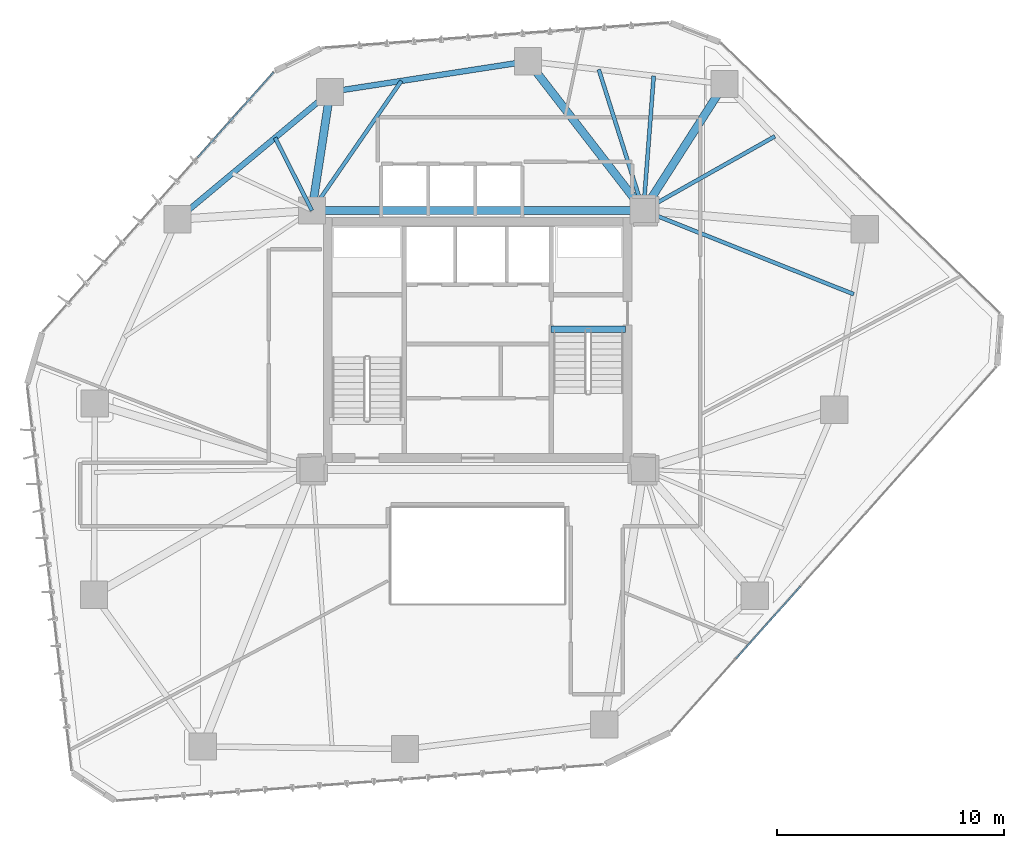
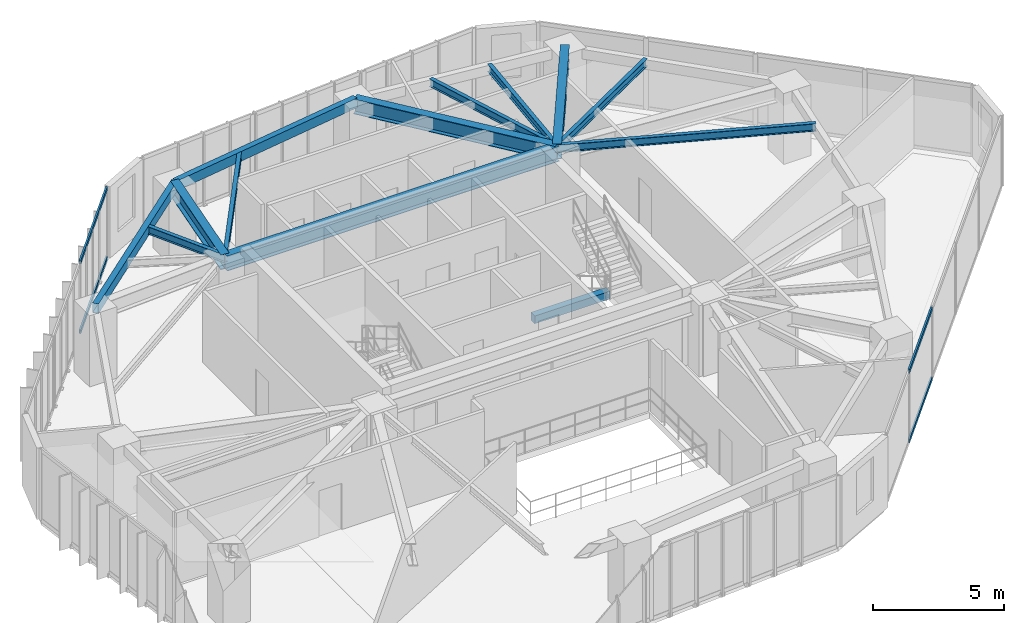
# One storey, part 11 of 23: 13 beams, 4 members, 2 elements without a shape of their own.
"""IFC4 building model written with IfcOpenShell, lengths in metres."""

from ifc_helpers import new_model, si_unit, direction, frame, origin, origin_2d, place, context, subcontext, project, spatial, rectangle, hollow_rectangle, i_section, extrude, source, transform, mapped, material, layer, layer_set, material_profile, profile_set, type_object, type_shapes, element, aggregate, save


model = new_model("IFC4")

# Units and contexts
model_context = context("Model", 3, precision=1e-05, world=origin(), true_north=direction((0.0, 1.0)))
body_context = subcontext(model_context, "Body", "Model", "MODEL_VIEW")
ifc_project = project(units=[si_unit("LENGTHUNIT", "METRE"), si_unit("AREAUNIT", "SQUARE_METRE"), si_unit("VOLUMEUNIT", "CUBIC_METRE"), si_unit("PLANEANGLEUNIT", "RADIAN"), si_unit("MASSUNIT", "GRAM", prefix="KILO")], contexts=[model_context])

# Site, building, storey
site_placement = place(None, origin())
site = spatial("IfcSite", under=ifc_project, at=site_placement, CompositionType="ELEMENT")
building_placement = place(site_placement, origin())
building = spatial("IfcBuilding", under=site, at=building_placement, Name="Talar Marvaseh", CompositionType="ELEMENT")
storey_placement = place(building_placement, frame((0.0, 0.0, 103.800048828125)))
storey = spatial("IfcBuildingStorey", under=building, at=storey_placement, Name="L26", CompositionType="ELEMENT", Elevation=103.800048828125)

# Beams
ifc_material_1 = material(Name="Concrete C40/50", Category="concrete")
ifc_material_profile_1 = material_profile(ifc_material_1, rectangle(XDim=0.300048828125, YDim=0.360107421875, at=origin_2d()), Name="RC300x360")
ifc_profile_set_1 = profile_set([ifc_material_profile_1], Name="Concrete C40/50")
beam_type_1 = type_object("IfcBeamType", Name="Concrete Stair Landing Trimmer Beam RC300x360", PredefinedType="SPANDREL", material=ifc_profile_set_1)
beam_1_placement = place(storey_placement, frame((29.219970703125, 31.669921875, -0.179931640625), z_axis=(1.0, 0.0, 0.0), x_axis=(0.0, 1.0, 0.0)))
element("IfcBeam", 1, at=beam_1_placement, inside=storey, type_object=beam_type_1, Name="L26 ST-2 Stair Nosing Trimmer Beam", PredefinedType="SPANDREL", context=body_context, shape_type="SweptSolid", body=[
    extrude(rectangle(XDim=0.300048828125, YDim=0.360107421875, at=origin_2d()), origin(), (0.0, 0.0, 1.0), 3.300048828125),
])
ifc_material_2 = material(Name="Steel S355", Category="steel")
ifc_material_profile_2 = material_profile(ifc_material_2, hollow_rectangle(XDim=0.25, YDim=0.449951171875, WallThickness=0.01611328125, at=origin_2d()), Name="RHS450x250x16")
ifc_profile_set_2 = profile_set([ifc_material_profile_2], Name="Steel S355")
beam_type_2 = type_object("IfcBeamType", Name="Zone 2 Perimeter Spandrel Beam RHS450x250x16", PredefinedType="SPANDREL", material=ifc_profile_set_2)
beam_2_placement = place(storey_placement, frame((12.780029296875, 36.51708984375, 3.0849609375), z_axis=(0.76793081465, 0.640532796905, 0.0), x_axis=(-0.640532796905, 0.76793081465, 0.0)))
element("IfcBeam", 2, at=beam_2_placement, inside=storey, type_object=beam_type_2, Name="L26 Zone 2 Perimeter Spandrel Beam RHS450x250x16", PredefinedType="SPANDREL", context=body_context, shape_type="SweptSolid", body=[
    extrude(hollow_rectangle(XDim=0.25, YDim=0.449951171875, WallThickness=0.01611328125, at=origin_2d()), origin(), (0.0, 0.0, 1.0), 8.751953125),
])
beam_3_placement = place(storey_placement, frame((19.5009765625, 42.123046875, 3.0849609375), z_axis=(0.988248879948, 0.152853365295, 0.0), x_axis=(-0.152853365295, 0.988248879948, 0.0)))
element("IfcBeam", 3, at=beam_3_placement, inside=storey, type_object=beam_type_2, Name="L26 Zone 2 Perimeter Spandrel Beam RHS450x250x16", PredefinedType="SPANDREL", context=body_context, shape_type="SweptSolid", body=[
    extrude(hollow_rectangle(XDim=0.25, YDim=0.449951171875, WallThickness=0.01611328125, at=origin_2d()), origin(), (0.0, 0.0, 1.0), 8.82470703125),
])
ifc_material_profile_3 = material_profile(ifc_material_2, i_section(OverallWidth=0.35498046875, OverallDepth=0.695068359375, WebThickness=0.015380859375, FlangeThickness=0.02490234375, at=origin_2d()), Name="W690x217")
ifc_profile_set_3 = profile_set([ifc_material_profile_3], Name="Steel S355")
beam_type_3 = type_object("IfcBeamType", Name="Zone 2 Radial Floor Girder W690x217", PredefinedType="BEAM", material=ifc_profile_set_3)
beam_4_placement = place(storey_placement, frame((18.699951171875, 36.89990234375, 2.96240234375), z_axis=(1.0, 0.0, 0.0), x_axis=(0.0, 1.0, 0.0)))
element("IfcBeam", 4, at=beam_4_placement, inside=storey, type_object=beam_type_3, Name="L26 Zone 2 Radial Floor Girder W690x217", PredefinedType="BEAM", context=body_context, shape_type="SweptSolid", body=[
    extrude(i_section(OverallWidth=0.35498046875, OverallDepth=0.695068359375, WebThickness=0.015380859375, FlangeThickness=0.02490234375, at=origin_2d()), origin(), (0.0, 0.0, 1.0), 14.60009765625),
])
beam_5_placement = place(storey_placement, frame((36.865966796875, 42.470947265625, 2.96240234375), z_axis=(-0.539101874952, -0.842240564461, 0.0), x_axis=(0.842240564461, -0.539101874952, 0.0)))
element("IfcBeam", 5, at=beam_5_placement, inside=storey, type_object=beam_type_3, Name="L26 Zone 2 Radial Floor Girder W690x217", PredefinedType="BEAM", context=body_context, shape_type="SweptSolid", body=[
    extrude(i_section(OverallWidth=0.35498046875, OverallDepth=0.695068359375, WebThickness=0.015380859375, FlangeThickness=0.02490234375, at=origin_2d()), origin(), (0.0, 0.0, 1.0), 6.614501953125),
])
beam_6_placement = place(storey_placement, frame((19.5009765625, 42.123046875, 2.96240234375), z_axis=(-0.151588471466, -0.98844369355, 0.0), x_axis=(0.98844369355, -0.151588471466, 0.0)))
element("IfcBeam", 6, at=beam_6_placement, inside=storey, type_object=beam_type_3, Name="L26 Zone 2 Radial Floor Girder W690x217", PredefinedType="BEAM", context=body_context, shape_type="SweptSolid", body=[
    extrude(i_section(OverallWidth=0.35498046875, OverallDepth=0.695068359375, WebThickness=0.015380859375, FlangeThickness=0.02490234375, at=origin_2d()), origin(), (0.0, 0.0, 1.0), 5.2841796875),
])
beam_7_placement = place(storey_placement, frame((28.221923828125, 43.471923828125, 2.96240234375), z_axis=(0.611428258763, -0.791299870079, 0.0), x_axis=(0.791299870079, 0.611428258763, 0.0)))
element("IfcBeam", 7, at=beam_7_placement, inside=storey, type_object=beam_type_3, Name="L26 Zone 2 Radial Floor Girder W690x217", PredefinedType="BEAM", context=body_context, shape_type="SweptSolid", body=[
    extrude(i_section(OverallWidth=0.35498046875, OverallDepth=0.695068359375, WebThickness=0.015380859375, FlangeThickness=0.02490234375, at=origin_2d()), origin(), (0.0, 0.0, 1.0), 8.305419921875),
])
ifc_material_profile_4 = material_profile(ifc_material_2, i_section(OverallWidth=0.172119140625, OverallDepth=0.35791015625, WebThickness=0.0078125, FlangeThickness=0.01318359375, at=origin_2d()), Name="W360x57")
ifc_profile_set_4 = profile_set([ifc_material_profile_4], Name="Steel S355")
beam_type_4 = type_object("IfcBeamType", Name="Zone 2 Secondary Floor Joist W360x57", PredefinedType="JOIST", material=ifc_profile_set_4)
beam_8_placement = place(storey_placement, frame((39.090087890625, 40.168701171875, 3.130859375), z_axis=(-0.870809604029, -0.491620416105, 0.0), x_axis=(0.491620416105, -0.870809604029, 0.0)))
element("IfcBeam", 8, at=beam_8_placement, inside=storey, type_object=beam_type_4, Name="L26 Zone 2 Secondary Floor Joist W360x57", PredefinedType="JOIST", context=body_context, shape_type="SweptSolid", body=[
    extrude(i_section(OverallWidth=0.172119140625, OverallDepth=0.35791015625, WebThickness=0.0078125, FlangeThickness=0.01318359375, at=origin_2d()), origin(), (0.0, 0.0, 1.0), 6.64892578125),
])
beam_9_placement = place(storey_placement, frame((42.5634765625, 33.214599609375, 3.130859375), z_axis=(-0.929169193082, 0.369654718119, 0.0), x_axis=(-0.369654718119, -0.929169193082, 0.0)))
element("IfcBeam", 9, at=beam_9_placement, inside=storey, type_object=beam_type_4, Name="L26 Zone 2 Secondary Floor Joist W360x57", PredefinedType="JOIST", context=body_context, shape_type="SweptSolid", body=[
    extrude(i_section(OverallWidth=0.172119140625, OverallDepth=0.35791015625, WebThickness=0.0078125, FlangeThickness=0.01318359375, at=origin_2d()), origin(), (0.0, 0.0, 1.0), 9.969482421875),
])
beam_10_placement = place(storey_placement, frame((17.081298828125, 40.104736328125, 3.130859375), z_axis=(0.450827436945, -0.892611125909, 0.0), x_axis=(0.892611125909, 0.450827436945, 0.0)))
element("IfcBeam", 10, at=beam_10_placement, inside=storey, type_object=beam_type_4, Name="L26 Zone 2 Secondary Floor Joist W360x57", PredefinedType="JOIST", context=body_context, shape_type="SweptSolid", body=[
    extrude(i_section(OverallWidth=0.172119140625, OverallDepth=0.35791015625, WebThickness=0.0078125, FlangeThickness=0.01318359375, at=origin_2d()), origin(), (0.0, 0.0, 1.0), 3.59033203125),
])
beam_11_placement = place(storey_placement, frame((22.640625, 42.608642578125, 3.130859375), z_axis=(-0.568085734836, -0.822969378456, 0.0), x_axis=(0.822969378456, -0.568085734836, 0.0)))
element("IfcBeam", 11, at=beam_11_placement, inside=storey, type_object=beam_type_4, Name="L26 Zone 2 Secondary Floor Joist W360x57", PredefinedType="JOIST", context=body_context, shape_type="SweptSolid", body=[
    extrude(i_section(OverallWidth=0.172119140625, OverallDepth=0.35791015625, WebThickness=0.0078125, FlangeThickness=0.01318359375, at=origin_2d()), origin(), (0.0, 0.0, 1.0), 6.936767578125),
])
beam_12_placement = place(storey_placement, frame((31.333740234375, 43.111572265625, 3.130859375), z_axis=(0.301791238044, -0.953374033966, 0.0), x_axis=(0.953374033966, 0.301791238044, 0.0)))
element("IfcBeam", 12, at=beam_12_placement, inside=storey, type_object=beam_type_4, Name="L26 Zone 2 Secondary Floor Joist W360x57", PredefinedType="JOIST", context=body_context, shape_type="SweptSolid", body=[
    extrude(i_section(OverallWidth=0.172119140625, OverallDepth=0.35791015625, WebThickness=0.0078125, FlangeThickness=0.01318359375, at=origin_2d()), origin(), (0.0, 0.0, 1.0), 6.515380859375),
])
beam_13_placement = place(storey_placement, frame((33.754150390625, 42.831298828125, 3.130859375), z_axis=(-0.076335577703, -0.99708218296, 0.0), x_axis=(0.99708218296, -0.076335577703, 0.0)))
element("IfcBeam", 13, at=beam_13_placement, inside=storey, type_object=beam_type_4, Name="L26 Zone 2 Secondary Floor Joist W360x57", PredefinedType="JOIST", context=body_context, shape_type="SweptSolid", body=[
    extrude(i_section(OverallWidth=0.172119140625, OverallDepth=0.35791015625, WebThickness=0.0078125, FlangeThickness=0.01318359375, at=origin_2d()), origin(), (0.0, 0.0, 1.0), 5.94873046875),
])

# Curtain wall, members
ifc_material_3 = material(Name="Architectural Aluminium", Category="aluminium")
ifc_layer = layer(ifc_material_3, 0.199951171875)
ifc_layer_set = layer_set([ifc_layer], Name="Architectural Aluminium")
curtain_wall_type = type_object("IfcCurtainWallType", Name="Unitised Acoustic Library Curtain Wall Z2", PredefinedType="NOTDEFINED", material=ifc_layer_set)
curtain_wall_1_placement = place(storey_placement, origin())
curtain_wall_1 = element("IfcCurtainWall", 14, at=curtain_wall_1_placement, inside=storey, type_object=curtain_wall_type, Name="L26 Unitised Acoustic Library Curtain Wall Z2", PredefinedType="NOTDEFINED")
ifc_material_profile_5 = material_profile(ifc_material_3, hollow_rectangle(XDim=0.074951171875, YDim=0.179931640625, WallThickness=0.0048828125, at=origin_2d()), Name="RHS180x75x5")
ifc_profile_set_5 = profile_set([ifc_material_profile_5], Name="Architectural Aluminium")
member_type = type_object("IfcMemberType", Name="Unitised Curtain Wall Transom RHS180x75x5", PredefinedType="USERDEFINED", material=ifc_profile_set_5)
shared_shape_1 = source(origin(), body_context, "Body", "SweptSolid", [
    extrude(hollow_rectangle(XDim=0.074951171875, YDim=0.179931640625, WallThickness=0.0048828125, at=origin_2d()), origin(), (0.0, 0.0, 1.0), 5.017578125),
])
member_1_placement = place(storey_placement, frame((13.672607421875, 39.23779296875, 0.037353515625), z_axis=(0.665000841661, 0.746842607643, 0.0), x_axis=(-0.746842607643, 0.665000841661, 0.0)))
member_1 = element("IfcMember", 15, at=member_1_placement, type_object=member_type, Name="CW-Z2 transom 3.1", ObjectType="TRANSOM", PredefinedType="USERDEFINED", context=body_context, shape_type="MappedRepresentation", body=[
    mapped(shared_shape_1, transform((0.0, 0.0, 0.0), x_axis=(1.0, 0.0, 0.0), y_axis=(0.0, 1.0, 0.0), z_axis=(0.0, 0.0, 1.0), scale=1.0)),
])
member_2_placement = place(storey_placement, frame((13.672607421875, 39.23779296875, 3.2724609375), z_axis=(0.665000841661, 0.746842607643, 0.0), x_axis=(-0.746842607643, 0.665000841661, 0.0)))
member_2 = element("IfcMember", 16, at=member_2_placement, type_object=member_type, Name="CW-Z2 transom 3.2", ObjectType="TRANSOM", PredefinedType="USERDEFINED", context=body_context, shape_type="MappedRepresentation", body=[
    mapped(shared_shape_1, transform((0.0, 0.0, 0.0), x_axis=(1.0, 0.0, 0.0), y_axis=(0.0, 1.0, 0.0), z_axis=(0.0, 0.0, 1.0), scale=1.0)),
])
aggregate(curtain_wall_1, [member_1, member_2])

curtain_wall_2_placement = place(storey_placement, origin())
curtain_wall_2 = element("IfcCurtainWall", 17, at=curtain_wall_2_placement, inside=storey, type_object=curtain_wall_type, Name="L26 Unitised Acoustic Library Curtain Wall Z2", PredefinedType="NOTDEFINED")
shared_shape_2 = source(origin(), body_context, "Body", "SweptSolid", [
    extrude(hollow_rectangle(XDim=0.074951171875, YDim=0.179931640625, WallThickness=0.0048828125, at=origin_2d()), origin(), (0.0, 0.0, 1.0), 4.24853515625),
])
type_shapes(member_type, [shared_shape_1, shared_shape_2])
member_3_placement = place(storey_placement, frame((40.213134765625, 20.34619140625, 0.037353515625), z_axis=(-0.666010059575, -0.745942759563, 0.0), x_axis=(0.745942759563, -0.666010059575, 0.0)))
member_3 = element("IfcMember", 18, at=member_3_placement, type_object=member_type, Name="CW-Z2 transom 4.1", ObjectType="TRANSOM", PredefinedType="USERDEFINED", context=body_context, shape_type="MappedRepresentation", body=[
    mapped(shared_shape_2, transform((0.0, 0.0, 0.0), x_axis=(1.0, 0.0, 0.0), y_axis=(0.0, 1.0, 0.0), z_axis=(0.0, 0.0, 1.0), scale=1.0)),
])
member_4_placement = place(storey_placement, frame((40.213134765625, 20.34619140625, 3.2724609375), z_axis=(-0.666010059575, -0.745942759563, 0.0), x_axis=(0.745942759563, -0.666010059575, 0.0)))
member_4 = element("IfcMember", 19, at=member_4_placement, type_object=member_type, Name="CW-Z2 transom 4.2", ObjectType="TRANSOM", PredefinedType="USERDEFINED", context=body_context, shape_type="MappedRepresentation", body=[
    mapped(shared_shape_2, transform((0.0, 0.0, 0.0), x_axis=(1.0, 0.0, 0.0), y_axis=(0.0, 1.0, 0.0), z_axis=(0.0, 0.0, 1.0), scale=1.0)),
])
aggregate(curtain_wall_2, [member_3, member_4])

save(model, "model.ifc")
